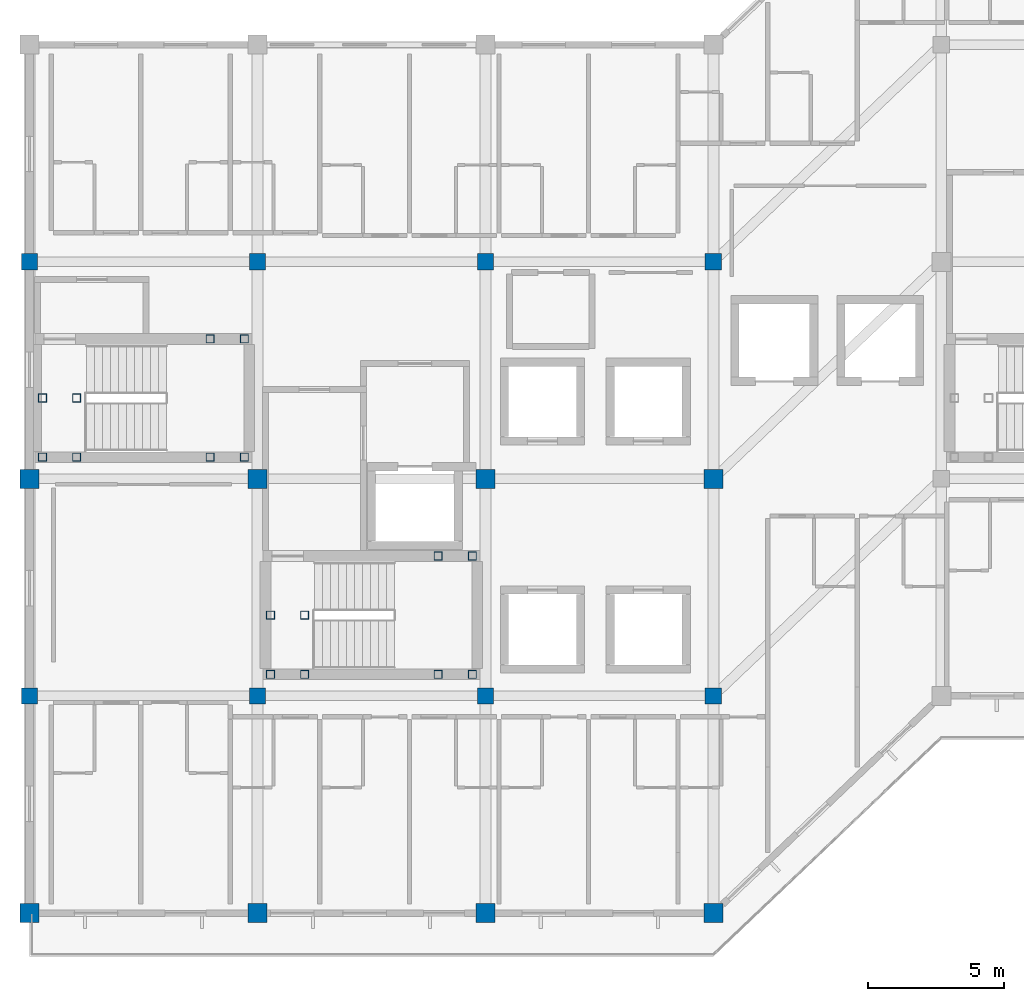
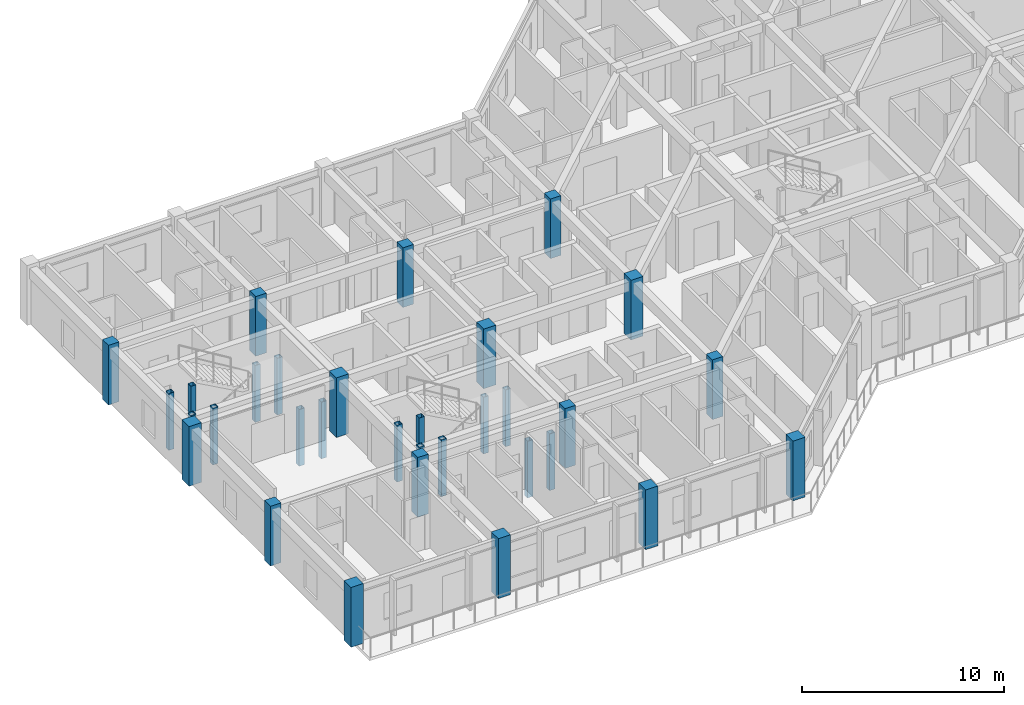
# One storey, part 1 of 15: 32 columns.
"""IFC4 building model written with IfcOpenShell, lengths in metres."""

from ifc_helpers import new_model, si_unit, direction, frame, origin, origin_2d, place, context, subcontext, project, spatial, rectangle, hollow_rectangle, extrude, material, material_profile, profile_set, type_object, element, save


model = new_model("IFC4")

# Units and contexts
model_context = context("Model", 3, precision=1e-05, world=origin(), true_north=direction((0.0, 1.0)))
body_context = subcontext(model_context, "Body", "Model", "MODEL_VIEW")
ifc_project = project(units=[si_unit("LENGTHUNIT", "METRE"), si_unit("AREAUNIT", "SQUARE_METRE"), si_unit("VOLUMEUNIT", "CUBIC_METRE"), si_unit("PLANEANGLEUNIT", "RADIAN"), si_unit("MASSUNIT", "GRAM", prefix="KILO")], contexts=[model_context])

# Site, building, storey
site_placement = place(None, origin())
site = spatial("IfcSite", under=ifc_project, at=site_placement, CompositionType="ELEMENT")
building_placement = place(site_placement, origin())
building = spatial("IfcBuilding", under=site, at=building_placement, Name="Naruveol Harbour Congress Hotel", CompositionType="ELEMENT")
storey_placement = place(building_placement, frame((0.0, 0.0, 32.39990234375)))
storey = spatial("IfcBuildingStorey", under=building, at=storey_placement, Name="L07", CompositionType="ELEMENT", Elevation=32.39990234375)

# Columns
ifc_material_1 = material(Name="Concrete C40/50", Category="concrete")
ifc_material_profile_1 = material_profile(ifc_material_1, rectangle(XDim=0.699951171875, YDim=0.699951171875, at=origin_2d()), Name="RC-700x700")
ifc_profile_set_1 = profile_set([ifc_material_profile_1], Name="Concrete C40/50")
column_type_1 = type_object("IfcColumnType", Name="RC HOTEL COLUMN 700X700", PredefinedType="COLUMN", material=ifc_profile_set_1)
for number, where, z_axis, x_axis, name in (
    (1, (117.60009765625, 0.0, 0.0), (0.0, 0.0, 1.0), (1.0, 0.0, 0.0), "Column C-700 L07 (117.6,0.0)"),
    (2, (117.60009765625, 16.0, 0.0), (0.0, 0.0, 1.0), (1.0, 0.0, 0.0), "Column C-700 L07 (117.6,16.0)"),
    (3, (126.0, 0.0, 0.0), (0.0, 0.0, 1.0), (1.0, 0.0, 0.0), "Column C-700 L07 (126.0,0.0)"),
    (4, (126.0, 16.0, 0.0), (0.0, 0.0, 1.0), (1.0, 0.0, 0.0), "Column C-700 L07 (126.0,16.0)"),
    (5, (134.39990234375, 0.0, 0.0), (0.0, 0.0, 1.0), (1.0, 0.0, 0.0), "Column C-700 L07 (134.4,0.0)"),
    (6, (134.39990234375, 16.0, 0.0), (0.0, 0.0, 1.0), (1.0, 0.0, 0.0), "Column C-700 L07 (134.4,16.0)"),
    (7, (142.800048828125, 0.0, 0.0), (0.0, 0.0, 1.0), (1.0, 0.0, 0.0), "Column C-700 L07 (142.8,0.0)"),
    (8, (142.800048828125, 16.0, 0.0), (0.0, 0.0, 1.0), (1.0, 0.0, 0.0), "Column C-700 L07 (142.8,16.0)"),
):
    element("IfcColumn", number, at=place(storey_placement, frame(where, z_axis=z_axis, x_axis=x_axis)), inside=storey, type_object=column_type_1, Name=name, PredefinedType="COLUMN", context=body_context, shape_type="SweptSolid", body=[
        extrude(rectangle(XDim=0.699951171875, YDim=0.699951171875, at=origin_2d()), origin(), (0.0, 0.0, 1.0), 3.60009765625),
    ])
ifc_material_2 = material(Name="Concrete C40/50", Category="concrete")
ifc_material_profile_2 = material_profile(ifc_material_2, rectangle(XDim=0.60009765625, YDim=0.60009765625, at=origin_2d()), Name="RC-600x600")
ifc_profile_set_2 = profile_set([ifc_material_profile_2], Name="Concrete C40/50")
column_type_2 = type_object("IfcColumnType", Name="RC UPPER COLUMN 600X600", PredefinedType="COLUMN", material=ifc_profile_set_2)
for number, where, z_axis, x_axis, name in (
    (9, (117.60009765625, 8.0, 0.0), (0.0, 0.0, 1.0), (1.0, 0.0, 0.0), "Planted hotel column C-600 L07 S0/J1"),
    (10, (117.60009765625, 24.0, 0.0), (0.0, 0.0, 1.0), (1.0, 0.0, 0.0), "Planted hotel column C-600 L07 S0/J3"),
    (11, (126.0, 8.0, 0.0), (0.0, 0.0, 1.0), (1.0, 0.0, 0.0), "Planted hotel column C-600 L07 S1/J1"),
    (12, (126.0, 24.0, 0.0), (0.0, 0.0, 1.0), (1.0, 0.0, 0.0), "Planted hotel column C-600 L07 S1/J3"),
    (13, (134.39990234375, 8.0, 0.0), (0.0, 0.0, 1.0), (1.0, 0.0, 0.0), "Planted hotel column C-600 L07 S2/J1"),
    (14, (134.39990234375, 24.0, 0.0), (0.0, 0.0, 1.0), (1.0, 0.0, 0.0), "Planted hotel column C-600 L07 S2/J3"),
    (15, (142.800048828125, 8.0, 0.0), (0.0, 0.0, 1.0), (1.0, 0.0, 0.0), "Planted hotel column C-600 L07 S3/J1"),
    (16, (142.800048828125, 24.0, 0.0), (0.0, 0.0, 1.0), (1.0, 0.0, 0.0), "Planted hotel column C-600 L07 S3/J3"),
):
    element("IfcColumn", number, at=place(storey_placement, frame(where, z_axis=z_axis, x_axis=x_axis)), inside=storey, type_object=column_type_2, Name=name, PredefinedType="COLUMN", context=body_context, shape_type="SweptSolid", body=[
        extrude(rectangle(XDim=0.60009765625, YDim=0.60009765625, at=origin_2d()), origin(), (0.0, 0.0, 1.0), 3.60009765625),
    ])
ifc_material_3 = material(Name="Steel SN490", Category="steel")
ifc_material_profile_3 = material_profile(ifc_material_3, hollow_rectangle(XDim=0.300048828125, YDim=0.300048828125, WallThickness=0.011962890625, at=origin_2d()), Name="SHS-300x300x12")
ifc_profile_set_3 = profile_set([ifc_material_profile_3], Name="Steel SN490")
column_type_3 = type_object("IfcColumnType", Name="STEEL COLONNADE POST SHS300", PredefinedType="COLUMN", material=ifc_profile_set_3)
for number, where, z_axis, x_axis, name in (
    (17, (126.47998046875, 8.800048828125, 0.0), (0.0, 0.0, 1.0), (1.0, 0.0, 0.0), "Stair landing support post ST1W #9"),
    (18, (126.47998046875, 10.97998046875, 0.0), (0.0, 0.0, 1.0), (1.0, 0.0, 0.0), "Stair landing support post ST1W #21"),
    (19, (127.739990234375, 8.800048828125, 0.0), (0.0, 0.0, 1.0), (1.0, 0.0, 0.0), "Stair landing support post ST1W #33"),
    (20, (127.739990234375, 10.97998046875, 0.0), (0.0, 0.0, 1.0), (1.0, 0.0, 0.0), "Stair landing support post ST1W #45"),
):
    element("IfcColumn", number, at=place(storey_placement, frame(where, z_axis=z_axis, x_axis=x_axis)), inside=storey, type_object=column_type_3, Name=name, PredefinedType="COLUMN", context=body_context, shape_type="SweptSolid", body=[
        extrude(hollow_rectangle(XDim=0.300048828125, YDim=0.300048828125, WallThickness=0.011962890625, at=origin_2d()), origin(), (0.0, 0.0, 1.0), 3.420166015625),
    ])
for number, where, z_axis, x_axis, name in (
    (21, (132.659912109375, 8.800048828125, -1.7998046875), (0.0, 0.0, 1.0), (1.0, 0.0, 0.0), "Stair landing support post ST1E #57"),
    (22, (132.659912109375, 13.159912109375, -1.7998046875), (0.0, 0.0, 1.0), (1.0, 0.0, 0.0), "Stair landing support post ST1E #69"),
    (23, (133.919921875, 8.800048828125, -1.7998046875), (0.0, 0.0, 1.0), (1.0, 0.0, 0.0), "Stair landing support post ST1E #81"),
    (24, (133.919921875, 13.159912109375, -1.7998046875), (0.0, 0.0, 1.0), (1.0, 0.0, 0.0), "Stair landing support post ST1E #93"),
):
    element("IfcColumn", number, at=place(storey_placement, frame(where, z_axis=z_axis, x_axis=x_axis)), inside=storey, type_object=column_type_3, Name=name, PredefinedType="COLUMN", context=body_context, shape_type="SweptSolid", body=[
        extrude(hollow_rectangle(XDim=0.300048828125, YDim=0.300048828125, WallThickness=0.011962890625, at=origin_2d()), origin(), (0.0, 0.0, 1.0), 3.419921875),
    ])
for number, where, z_axis, x_axis, name in (
    (25, (118.080078125, 16.800048828125, 0.0), (0.0, 0.0, 1.0), (1.0, 0.0, 0.0), "Stair landing support post ST3W #201"),
    (26, (118.080078125, 18.97998046875, 0.0), (0.0, 0.0, 1.0), (1.0, 0.0, 0.0), "Stair landing support post ST3W #211"),
    (27, (119.340087890625, 16.800048828125, 0.0), (0.0, 0.0, 1.0), (1.0, 0.0, 0.0), "Stair landing support post ST3W #221"),
    (28, (119.340087890625, 18.97998046875, 0.0), (0.0, 0.0, 1.0), (1.0, 0.0, 0.0), "Stair landing support post ST3W #231"),
):
    element("IfcColumn", number, at=place(storey_placement, frame(where, z_axis=z_axis, x_axis=x_axis)), inside=storey, type_object=column_type_3, Name=name, PredefinedType="COLUMN", context=body_context, shape_type="SweptSolid", body=[
        extrude(hollow_rectangle(XDim=0.300048828125, YDim=0.300048828125, WallThickness=0.011962890625, at=origin_2d()), origin(), (0.0, 0.0, 1.0), 3.420166015625),
    ])
for number, where, z_axis, x_axis, name in (
    (29, (124.260009765625, 16.800048828125, -1.7998046875), (0.0, 0.0, 1.0), (1.0, 0.0, 0.0), "Stair landing support post ST3E #241"),
    (30, (124.260009765625, 21.159912109375, -1.7998046875), (0.0, 0.0, 1.0), (1.0, 0.0, 0.0), "Stair landing support post ST3E #251"),
    (31, (125.52001953125, 16.800048828125, -1.7998046875), (0.0, 0.0, 1.0), (1.0, 0.0, 0.0), "Stair landing support post ST3E #261"),
    (32, (125.52001953125, 21.159912109375, -1.7998046875), (0.0, 0.0, 1.0), (1.0, 0.0, 0.0), "Stair landing support post ST3E #271"),
):
    element("IfcColumn", number, at=place(storey_placement, frame(where, z_axis=z_axis, x_axis=x_axis)), inside=storey, type_object=column_type_3, Name=name, PredefinedType="COLUMN", context=body_context, shape_type="SweptSolid", body=[
        extrude(hollow_rectangle(XDim=0.300048828125, YDim=0.300048828125, WallThickness=0.011962890625, at=origin_2d()), origin(), (0.0, 0.0, 1.0), 3.419921875),
    ])

save(model, "model.ifc")
